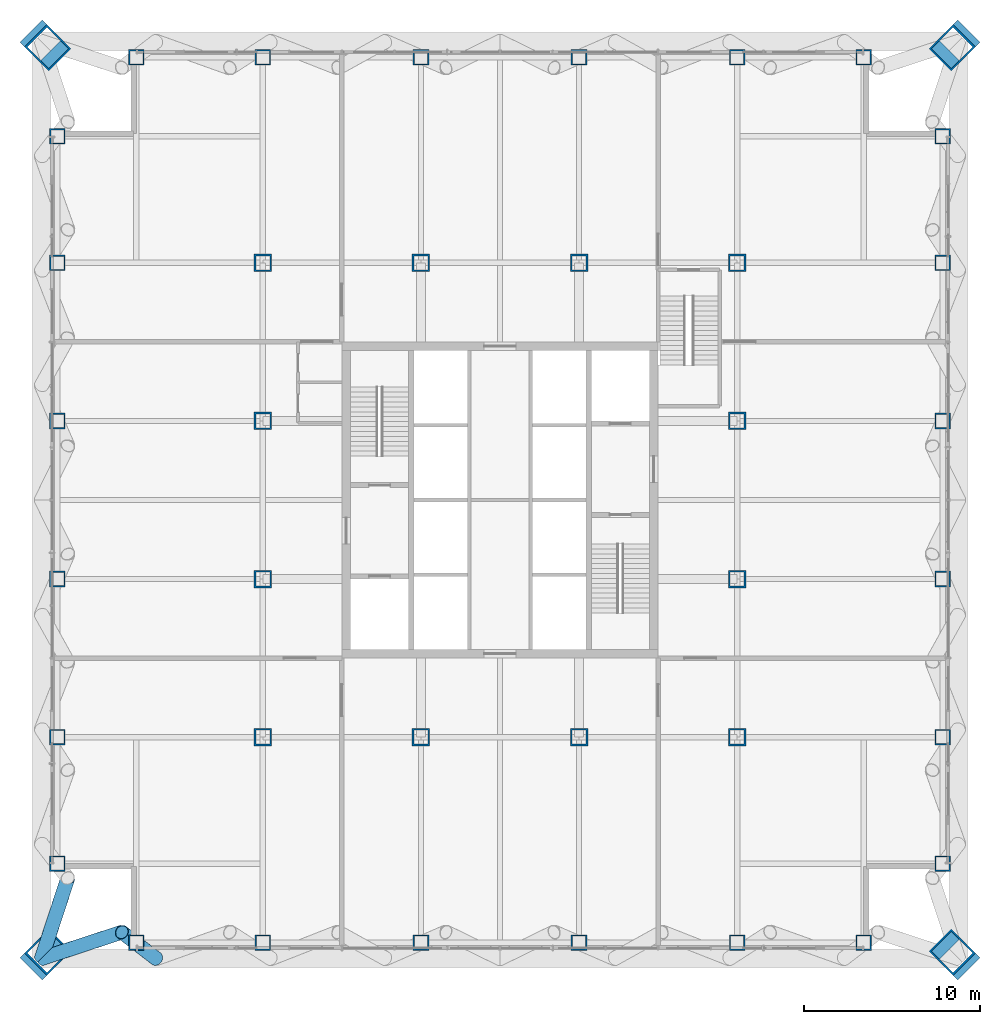
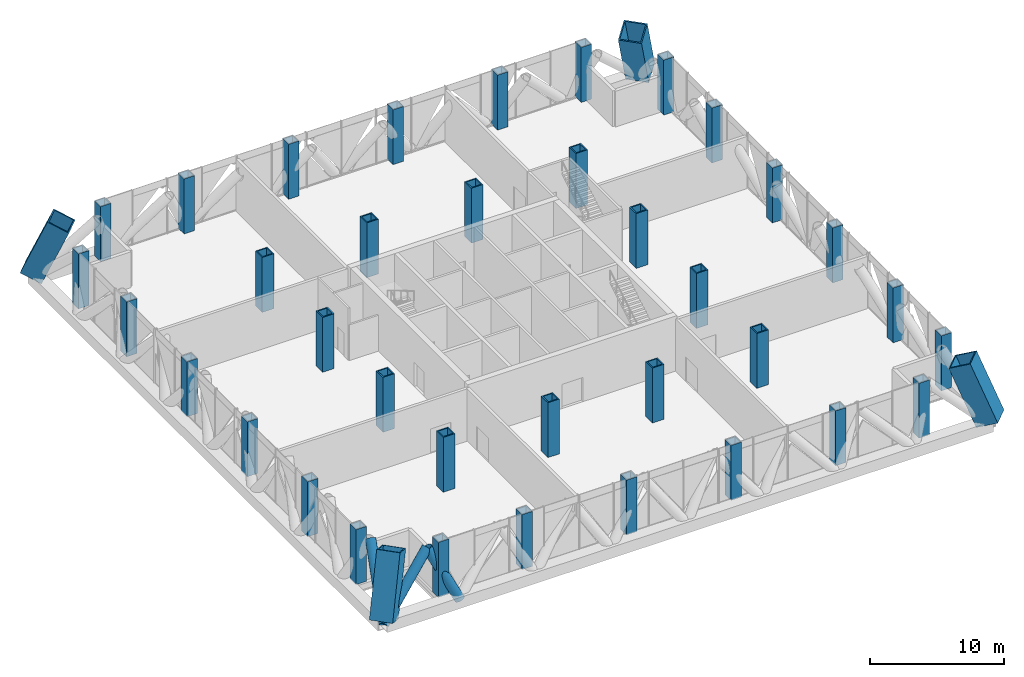
# One storey, part 1 of 26: 40 columns, 3 members.
"""IFC4 building model written with IfcOpenShell, lengths in metres."""

from ifc_helpers import new_model, si_unit, direction, frame, origin, origin_2d, place, context, subcontext, project, spatial, hollow_rectangle, hollow_circle, extrude, material, material_profile, profile_set, type_object, element, save


model = new_model("IFC4")

# Units and contexts
model_context = context("Model", 3, precision=1e-05, world=origin(), true_north=direction((0.0, 1.0)))
body_context = subcontext(model_context, "Body", "Model", "MODEL_VIEW")
ifc_project = project(units=[si_unit("LENGTHUNIT", "METRE"), si_unit("AREAUNIT", "SQUARE_METRE"), si_unit("VOLUMEUNIT", "CUBIC_METRE"), si_unit("PLANEANGLEUNIT", "RADIAN"), si_unit("MASSUNIT", "GRAM", prefix="KILO")], contexts=[model_context])

# Site, building, storey
site_placement = place(None, origin())
site = spatial("IfcSite", under=ifc_project, at=site_placement, CompositionType="ELEMENT")
building_placement = place(site_placement, origin())
building = spatial("IfcBuilding", under=site, at=building_placement, Name="Malebo Sky Hospital", CompositionType="ELEMENT")
storey_placement = place(building_placement, frame((0.0, 0.0, 95.0)))
storey = spatial("IfcBuildingStorey", under=building, at=storey_placement, Name="L22", CompositionType="ELEMENT", Elevation=95.0)

# Columns
ifc_material = material(Name="Steel S460", Category="steel")
ifc_material_profile_1 = material_profile(ifc_material, hollow_rectangle(XDim=1.0, YDim=1.0, WallThickness=0.10009765625, at=origin_2d()), Name="BOX 1000x1000x100")
ifc_profile_set_1 = profile_set([ifc_material_profile_1], Name="Steel S460")
column_type_1 = type_object("IfcColumnType", Name="INNER COLUMN BOX 1000x1000x100", PredefinedType="COLUMN", material=ifc_profile_set_1)
for number, where, z_axis, x_axis, name in (
    (1, (46.5, 48.5, 0.0), (0.0, 0.0, 1.0), (1.0, 0.0, 0.0), "Column IC9 L22"),
    (2, (73.5, 48.5, 0.0), (0.0, 0.0, 1.0), (1.0, 0.0, 0.0), "Column IC9 L22"),
    (3, (73.5, 75.5, 0.0), (0.0, 0.0, 1.0), (1.0, 0.0, 0.0), "Column IC9 L22"),
    (4, (46.5, 75.5, 0.0), (0.0, 0.0, 1.0), (1.0, 0.0, 0.0), "Column IC9 L22"),
    (5, (55.5, 48.5, 0.0), (0.0, 0.0, 1.0), (1.0, 0.0, 0.0), "Column IC9 L22"),
    (6, (64.5, 48.5, 0.0), (0.0, 0.0, 1.0), (1.0, 0.0, 0.0), "Column IC9 L22"),
    (7, (55.5, 75.5, 0.0), (0.0, 0.0, 1.0), (1.0, 0.0, 0.0), "Column IC9 L22"),
    (8, (64.5, 75.5, 0.0), (0.0, 0.0, 1.0), (1.0, 0.0, 0.0), "Column IC9 L22"),
    (9, (46.5, 57.5, 0.0), (0.0, 0.0, 1.0), (1.0, 0.0, 0.0), "Column IC9 L22"),
    (10, (46.5, 66.5, 0.0), (0.0, 0.0, 1.0), (1.0, 0.0, 0.0), "Column IC9 L22"),
    (11, (73.5, 57.5, 0.0), (0.0, 0.0, 1.0), (1.0, 0.0, 0.0), "Column IC9 L22"),
    (12, (73.5, 66.5, 0.0), (0.0, 0.0, 1.0), (1.0, 0.0, 0.0), "Column IC9 L22"),
):
    element("IfcColumn", number, at=place(storey_placement, frame(where, z_axis=z_axis, x_axis=x_axis)), inside=storey, type_object=column_type_1, Name=name, PredefinedType="COLUMN", context=body_context, shape_type="SweptSolid", body=[
        extrude(hollow_rectangle(XDim=1.0, YDim=1.0, WallThickness=0.10009765625, at=origin_2d()), origin(), (0.0, 0.0, 1.0), 5.0),
    ])
ifc_material_profile_2 = material_profile(ifc_material, hollow_rectangle(XDim=1.800048828125, YDim=1.800048828125, WallThickness=0.10009765625, at=origin_2d()), Name="BOX 1800x1800x100")
ifc_profile_set_2 = profile_set([ifc_material_profile_2], Name="Steel S460")
column_type_2 = type_object("IfcColumnType", Name="MEGA COLUMN BOX 1800x1800x100", PredefinedType="COLUMN", material=ifc_profile_set_2)
for number, where, z_axis, x_axis, name in (
    (13, (33.89990234375, 35.89990234375, 0.0), (0.276172385369, 0.276172385369, 0.920574617898), (-0.707106781187, 0.707106781187, 0.0), "Mega column SW L22"),
    (14, (86.10009765625, 35.89990234375, 0.0), (-0.276172385369, 0.276172385369, 0.920574617898), (-0.707106781187, -0.707106781187, 0.0), "Mega column SE L22"),
    (15, (86.10009765625, 88.10009765625, 0.0), (-0.276172385369, -0.276172385369, 0.920574617898), (0.707106781187, -0.707106781187, 0.0), "Mega column NE L22"),
    (16, (33.89990234375, 88.10009765625, 0.0), (0.276172385369, -0.276172385369, 0.920574617898), (0.707106781187, 0.707106781187, 0.0), "Mega column NW L22"),
):
    element("IfcColumn", number, at=place(storey_placement, frame(where, z_axis=z_axis, x_axis=x_axis)), inside=storey, type_object=column_type_2, Name=name, PredefinedType="COLUMN", context=body_context, shape_type="SweptSolid", body=[
        extrude(hollow_rectangle(XDim=1.800048828125, YDim=1.800048828125, WallThickness=0.10009765625, at=origin_2d()), origin(), (0.0, 0.0, 1.0), 5.431396484375),
    ])
ifc_material_profile_3 = material_profile(ifc_material, hollow_rectangle(XDim=0.89990234375, YDim=0.89990234375, WallThickness=0.080078125, at=origin_2d()), Name="BOX 900x900x80")
ifc_profile_set_3 = profile_set([ifc_material_profile_3], Name="Steel S460")
column_type_3 = type_object("IfcColumnType", Name="PERIMETER COLUMN BOX 900x900x80", PredefinedType="COLUMN", material=ifc_profile_set_3)
for number, where, z_axis, x_axis, name in (
    (17, (39.300048828125, 36.800048828125, 0.0), (0.0, 0.0, 1.0), (1.0, 0.0, 0.0), "Column PC8 L22"),
    (18, (39.300048828125, 87.199951171875, 0.0), (0.0, 0.0, 1.0), (1.0, 0.0, 0.0), "Column PC8 L22"),
    (19, (34.800048828125, 41.300048828125, 0.0), (0.0, 0.0, 1.0), (1.0, 0.0, 0.0), "Column PC8 L22"),
    (20, (85.199951171875, 41.300048828125, 0.0), (0.0, 0.0, 1.0), (1.0, 0.0, 0.0), "Column PC8 L22"),
    (21, (46.5, 36.800048828125, 0.0), (0.0, 0.0, 1.0), (1.0, 0.0, 0.0), "Column PC8 L22"),
    (22, (46.5, 87.199951171875, 0.0), (0.0, 0.0, 1.0), (1.0, 0.0, 0.0), "Column PC8 L22"),
    (23, (34.800048828125, 48.5, 0.0), (0.0, 0.0, 1.0), (1.0, 0.0, 0.0), "Column PC8 L22"),
    (24, (85.199951171875, 48.5, 0.0), (0.0, 0.0, 1.0), (1.0, 0.0, 0.0), "Column PC8 L22"),
    (25, (55.5, 36.800048828125, 0.0), (0.0, 0.0, 1.0), (1.0, 0.0, 0.0), "Column PC8 L22"),
    (26, (55.5, 87.199951171875, 0.0), (0.0, 0.0, 1.0), (1.0, 0.0, 0.0), "Column PC8 L22"),
    (27, (34.800048828125, 57.5, 0.0), (0.0, 0.0, 1.0), (1.0, 0.0, 0.0), "Column PC8 L22"),
    (28, (85.199951171875, 57.5, 0.0), (0.0, 0.0, 1.0), (1.0, 0.0, 0.0), "Column PC8 L22"),
    (29, (64.5, 36.800048828125, 0.0), (0.0, 0.0, 1.0), (1.0, 0.0, 0.0), "Column PC8 L22"),
    (30, (64.5, 87.199951171875, 0.0), (0.0, 0.0, 1.0), (1.0, 0.0, 0.0), "Column PC8 L22"),
    (31, (34.800048828125, 66.5, 0.0), (0.0, 0.0, 1.0), (1.0, 0.0, 0.0), "Column PC8 L22"),
    (32, (85.199951171875, 66.5, 0.0), (0.0, 0.0, 1.0), (1.0, 0.0, 0.0), "Column PC8 L22"),
    (33, (73.5, 36.800048828125, 0.0), (0.0, 0.0, 1.0), (1.0, 0.0, 0.0), "Column PC8 L22"),
    (34, (73.5, 87.199951171875, 0.0), (0.0, 0.0, 1.0), (1.0, 0.0, 0.0), "Column PC8 L22"),
    (35, (34.800048828125, 75.5, 0.0), (0.0, 0.0, 1.0), (1.0, 0.0, 0.0), "Column PC8 L22"),
    (36, (85.199951171875, 75.5, 0.0), (0.0, 0.0, 1.0), (1.0, 0.0, 0.0), "Column PC8 L22"),
    (37, (80.699951171875, 36.800048828125, 0.0), (0.0, 0.0, 1.0), (1.0, 0.0, 0.0), "Column PC8 L22"),
    (38, (80.699951171875, 87.199951171875, 0.0), (0.0, 0.0, 1.0), (1.0, 0.0, 0.0), "Column PC8 L22"),
    (39, (34.800048828125, 82.699951171875, 0.0), (0.0, 0.0, 1.0), (1.0, 0.0, 0.0), "Column PC8 L22"),
    (40, (85.199951171875, 82.699951171875, 0.0), (0.0, 0.0, 1.0), (1.0, 0.0, 0.0), "Column PC8 L22"),
):
    element("IfcColumn", number, at=place(storey_placement, frame(where, z_axis=z_axis, x_axis=x_axis)), inside=storey, type_object=column_type_3, Name=name, PredefinedType="COLUMN", context=body_context, shape_type="SweptSolid", body=[
        extrude(hollow_rectangle(XDim=0.89990234375, YDim=0.89990234375, WallThickness=0.080078125, at=origin_2d()), origin(), (0.0, 0.0, 1.0), 5.0),
    ])

# Members
ifc_material_profile_4 = material_profile(ifc_material, hollow_circle(Radius=0.406494140625, WallThickness=0.030029296875, at=origin_2d()), Name="CHS 813x30")
ifc_profile_set_4 = profile_set([ifc_material_profile_4], Name="Steel S460")
member_type = type_object("IfcMemberType", Name="BELT TRUSS DIAGONAL CHS 813x30", PredefinedType="BRACE", material=ifc_profile_set_4)
member_1_placement = place(storey_placement, frame((33.89990234375, 35.89990234375, -0.39990234375), z_axis=(0.697836710341, 0.228789154127, 0.678733709679), x_axis=(-0.311538660116, 0.950233478285, 0.0)))
element("IfcMember", 41, at=member_1_placement, inside=storey, type_object=member_type, Name="Belt truss diagonal S1.1 L22", PredefinedType="BRACE", context=body_context, shape_type="SweptSolid", body=[
    extrude(hollow_circle(Radius=0.406494140625, WallThickness=0.030029296875, at=origin_2d()), origin(), (0.0, 0.0, 1.0), 6.55615234375),
])
member_2_placement = place(storey_placement, frame((38.47509765625, 37.39990234375, 4.050048828125), z_axis=(0.383492358509, -0.295001508786, -0.875161539819), x_axis=(0.609720352615, 0.792616610731, 0.0)))
element("IfcMember", 42, at=member_2_placement, inside=storey, type_object=member_type, Name="Belt truss diagonal S1.2 L22", PredefinedType="BRACE", context=body_context, shape_type="SweptSolid", body=[
    extrude(hollow_circle(Radius=0.406494140625, WallThickness=0.030029296875, at=origin_2d()), origin(), (0.0, 0.0, 1.0), 5.084716796875),
])
member_3_placement = place(storey_placement, frame((35.39990234375, 40.47509765625, 4.050048828125), z_axis=(-0.228789154127, -0.697836710341, -0.678733709679), x_axis=(0.950233478285, -0.311538660116, 0.0)))
element("IfcMember", 43, at=member_3_placement, inside=storey, type_object=member_type, Name="Belt truss diagonal W8.2 L22", PredefinedType="BRACE", context=body_context, shape_type="SweptSolid", body=[
    extrude(hollow_circle(Radius=0.406494140625, WallThickness=0.030029296875, at=origin_2d()), origin(), (0.0, 0.0, 1.0), 6.55615234375),
])

save(model, "model.ifc")
